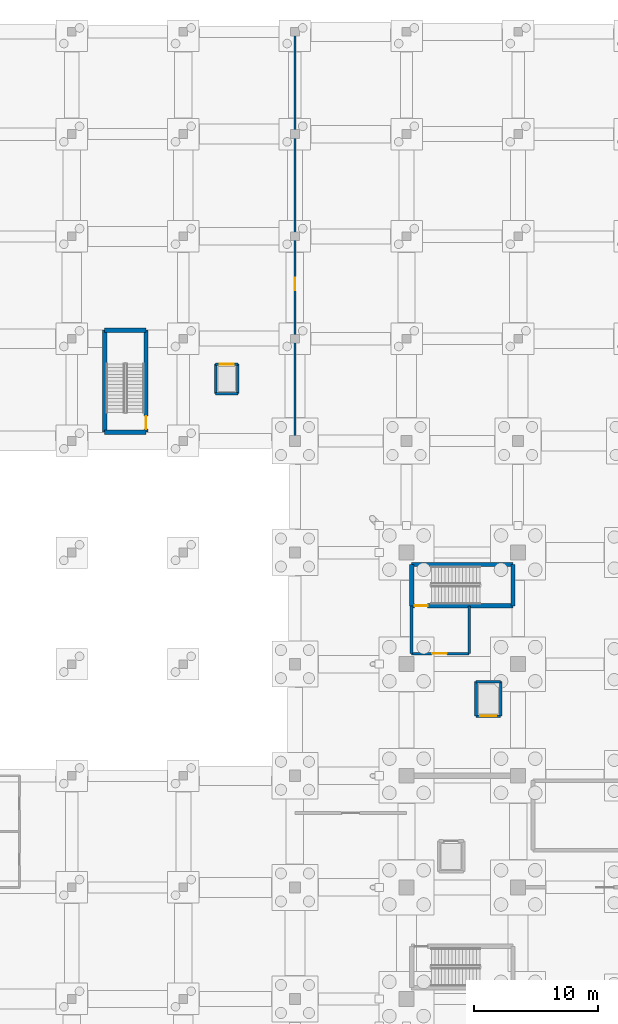
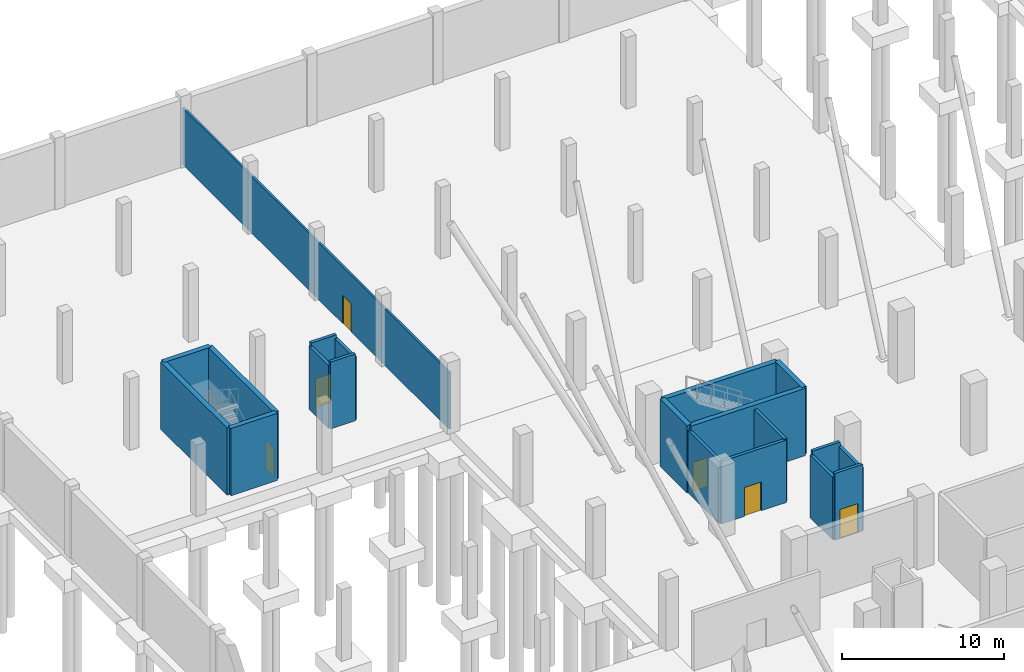
# One storey, part 27 of 42: 20 walls, 6 doors, 6 openings.
"""IFC4 building model written with IfcOpenShell, lengths in metres."""

from ifc_helpers import new_model, si_unit, direction, frame, frame_2d, origin, place, context, subcontext, project, spatial, rectangle, extrude, material, layer, layer_set, type_object, element, fill, save


model = new_model("IFC4")

# Units and contexts
model_context = context("Model", 3, precision=1e-05, world=origin(), true_north=direction((0.0, 1.0)))
body_context = subcontext(model_context, "Body", "Model", "MODEL_VIEW")
ifc_project = project(units=[si_unit("LENGTHUNIT", "METRE"), si_unit("AREAUNIT", "SQUARE_METRE"), si_unit("VOLUMEUNIT", "CUBIC_METRE"), si_unit("PLANEANGLEUNIT", "RADIAN"), si_unit("MASSUNIT", "GRAM", prefix="KILO")], contexts=[model_context])

# Site, building, storey
site_placement = place(None, origin())
site = spatial("IfcSite", under=ifc_project, at=site_placement, CompositionType="ELEMENT")
building_placement = place(site_placement, origin())
building = spatial("IfcBuilding", under=site, at=building_placement, Name="Sundgate Opera House", CompositionType="ELEMENT")
storey_placement = place(building_placement, frame((0.0, 0.0, -5.39990234375)))
storey = spatial("IfcBuildingStorey", under=building, at=storey_placement, Name="B01", CompositionType="ELEMENT", Elevation=-5.39990234375)

# Wall, opening, door
ifc_material_1 = material(Name="Concrete C40/50", Category="concrete")
ifc_layer_1 = layer(ifc_material_1, 0.35009765625)
ifc_layer_set_1 = layer_set([ifc_layer_1], Name="Concrete C40/50")
wall_type_1 = type_object("IfcWallType", Name="WL-CORE-350", PredefinedType="SHEAR", material=ifc_layer_set_1)
wall_1_placement = place(storey_placement, frame((36.409912109375, 73.7099609375, 0.0), z_axis=(0.0, 0.0, 1.0), x_axis=(1.0, 0.0, 0.0)))
wall_1 = element("IfcWall", 1, at=wall_1_placement, inside=storey, type_object=wall_type_1, Name="B01 C2 South Shaft Wall", PredefinedType="SHEAR", context=body_context, shape_type="SweptSolid", body=[
    extrude(rectangle(XDim=8.18017578125, YDim=0.35009765625, at=frame_2d((4.090087890625, 0.0))), origin(), (0.0, 0.0, 1.0), 5.079833984375),
])
opening_1_placement = place(wall_1_placement, frame((0.239990234375, 0.0, 0.0)))
opening_1 = element("IfcOpeningElement", 2, at=opening_1_placement, cuts=wall_1, Name="Opening DI01", PredefinedType="OPENING", context=body_context, shape_type="SweptSolid", body=[
    extrude(rectangle(XDim=1.050048828125, YDim=2.179931640625, at=frame_2d((0.52490234375, 1.08984375))), frame((0.0, 0.18505859375, 0.0), z_axis=(0.0, -1.0, 0.0), x_axis=(1.0, 0.0, 0.0)), (0.0, 0.0, 1.0), 0.3701171875),
])
ifc_material_2 = material(Name="Acoustic hardwood timber and steel core", Category="steel")
door_type_1 = type_object("IfcDoorType", Name="DR-STAIR-1050x2180", OperationType="NOTDEFINED", PredefinedType="DOOR", material=ifc_material_2)
door_1_placement = place(opening_1_placement, origin())
door_1 = element("IfcDoor", 3, at=door_1_placement, inside=storey, type_object=door_type_1, Name="B01 C2 Stair Door D0032", OperationType="SINGLE_SWING_RIGHT", OverallHeight=2.179931640625, OverallWidth=1.050048828125, PredefinedType="DOOR", context=body_context, shape_type="SweptSolid", body=[
    extrude(rectangle(XDim=1.050048828125, YDim=2.179931640625, at=frame_2d((0.52490234375, 1.08984375))), frame((0.0, 0.02490234375, 0.0), z_axis=(0.0, -1.0, 0.0), x_axis=(1.0, 0.0, 0.0)), (0.0, 0.0, 1.0), 0.050048828125),
])
fill(opening_1, door_1)

# Walls
wall_2_placement = place(storey_placement, frame((36.409912109375, 77.0400390625, 0.0), z_axis=(0.0, 0.0, 1.0), x_axis=(1.0, 0.0, 0.0)))
element("IfcWall", 4, at=wall_2_placement, inside=storey, type_object=wall_type_1, Name="B01 C2 North Shaft Wall", PredefinedType="SHEAR", context=body_context, shape_type="SweptSolid", body=[
    extrude(rectangle(XDim=8.18017578125, YDim=0.35009765625, at=frame_2d((4.090087890625, 0.0))), origin(), (0.0, 0.0, 1.0), 5.079833984375),
])
for number, where, z_axis, x_axis, name in (
    (5, (36.409912109375, 73.7099609375, 0.0), (0.0, 0.0, 1.0), (0.0, 1.0, 0.0), "B01 C2 West Shaft Wall"),
    (6, (44.590087890625, 73.7099609375, 0.0), (0.0, 0.0, 1.0), (0.0, 1.0, 0.0), "B01 C2 East Shaft Wall"),
    (7, (11.659912109375, 87.7099609375, 0.0), (0.0, 0.0, 1.0), (1.0, 0.0, 0.0), "B01 C8 South Shaft Wall"),
    (8, (11.659912109375, 95.93994140625, 0.0), (0.0, 0.0, 1.0), (1.0, 0.0, 0.0), "B01 C8 North Shaft Wall"),
):
    element("IfcWall", number, at=place(storey_placement, frame(where, z_axis=z_axis, x_axis=x_axis)), inside=storey, type_object=wall_type_1, Name=name, PredefinedType="SHEAR", context=body_context, shape_type="SweptSolid", body=[
        extrude(rectangle(XDim=3.330078125, YDim=0.35009765625, at=frame_2d((1.6650390625, 0.0))), origin(), (0.0, 0.0, 1.0), 5.079833984375),
    ])
wall_3_placement = place(storey_placement, frame((11.659912109375, 87.7099609375, 0.0), z_axis=(0.0, 0.0, 1.0), x_axis=(0.0, 1.0, 0.0)))
element("IfcWall", 9, at=wall_3_placement, inside=storey, type_object=wall_type_1, Name="B01 C8 West Shaft Wall", PredefinedType="SHEAR", context=body_context, shape_type="SweptSolid", body=[
    extrude(rectangle(XDim=8.22998046875, YDim=0.35009765625, at=frame_2d((4.114990234375, 0.0))), origin(), (0.0, 0.0, 1.0), 5.079833984375),
])

# Wall, opening, door
wall_4_placement = place(storey_placement, frame((14.989990234375, 87.7099609375, 0.0), z_axis=(0.0, 0.0, 1.0), x_axis=(0.0, 1.0, 0.0)))
wall_4 = element("IfcWall", 10, at=wall_4_placement, inside=storey, type_object=wall_type_1, Name="B01 C8 East Shaft Wall", PredefinedType="SHEAR", context=body_context, shape_type="SweptSolid", body=[
    extrude(rectangle(XDim=8.22998046875, YDim=0.35009765625, at=frame_2d((4.114990234375, 0.0))), origin(), (0.0, 0.0, 1.0), 5.079833984375),
])
opening_2_placement = place(wall_4_placement, frame((0.239990234375, 0.0, 0.0)))
opening_2 = element("IfcOpeningElement", 11, at=opening_2_placement, cuts=wall_4, Name="Opening DI01", PredefinedType="OPENING", context=body_context, shape_type="SweptSolid", body=[
    extrude(rectangle(XDim=1.050048828125, YDim=2.179931640625, at=frame_2d((0.52490234375, 1.08984375))), frame((0.0, 0.18505859375, 0.0), z_axis=(0.0, -1.0, 0.0), x_axis=(1.0, 0.0, 0.0)), (0.0, 0.0, 1.0), 0.3701171875),
])
door_2_placement = place(opening_2_placement, origin())
door_2 = element("IfcDoor", 12, at=door_2_placement, inside=storey, type_object=door_type_1, Name="B01 C8 Stair Door D0087", OperationType="SINGLE_SWING_LEFT", OverallHeight=2.179931640625, OverallWidth=1.050048828125, PredefinedType="DOOR", context=body_context, shape_type="SweptSolid", body=[
    extrude(rectangle(XDim=1.050048828125, YDim=2.179931640625, at=frame_2d((0.52490234375, 1.08984375))), frame((0.0, 0.02490234375, 0.0), z_axis=(0.0, -1.0, 0.0), x_axis=(1.0, 0.0, 0.0)), (0.0, 0.0, 1.0), 0.050048828125),
])
fill(opening_2, door_2)

ifc_material_3 = material(Name="Fire-rated gypsum and mineral-wool shaft partition", Category="gypsum")
ifc_layer_2 = layer(ifc_material_3, 0.219970703125)
ifc_layer_set_2 = layer_set([ifc_layer_2], Name="Fire-rated gypsum and mineral-wool shaft partition")
wall_type_2 = type_object("IfcWallType", Name="WL-INT-FIRE-220", PredefinedType="PARTITIONING", material=ifc_layer_set_2)
wall_5_placement = place(storey_placement, frame((36.409912109375, 69.85009765625, 0.0), z_axis=(0.0, 0.0, 1.0), x_axis=(1.0, 0.0, 0.0)))
wall_5 = element("IfcWall", 13, at=wall_5_placement, inside=storey, type_object=wall_type_2, Name="B01 C2 Firefighting Lobby South Wall", PredefinedType="PARTITIONING", context=body_context, shape_type="SweptSolid", body=[
    extrude(rectangle(XDim=4.64013671875, YDim=0.219970703125, at=frame_2d((2.320068359375, 0.0))), origin(), (0.0, 0.0, 1.0), 4.71484375),
])
opening_3_placement = place(wall_5_placement, frame((1.64990234375, 0.0, 0.0)))
opening_3 = element("IfcOpeningElement", 14, at=opening_3_placement, cuts=wall_5, Name="Opening DI02", PredefinedType="OPENING", context=body_context, shape_type="SweptSolid", body=[
    extrude(rectangle(XDim=1.199951171875, YDim=2.179931640625, at=frame_2d((0.60009765625, 1.08984375))), frame((0.0, 0.119873046875, 0.0), z_axis=(0.0, -1.0, 0.0), x_axis=(1.0, 0.0, 0.0)), (0.0, 0.0, 1.0), 0.239990234375),
])
ifc_material_4 = material(Name="Acoustic hardwood timber and steel core", Category="steel")
door_type_2 = type_object("IfcDoorType", Name="DR-FFLOB-1200x2180", OperationType="NOTDEFINED", PredefinedType="DOOR", material=ifc_material_4)
door_3_placement = place(opening_3_placement, origin())
door_3 = element("IfcDoor", 15, at=door_3_placement, inside=storey, type_object=door_type_2, Name="B01 C2 Firefighting Lobby Door D0033", OperationType="SINGLE_SWING_LEFT", OverallHeight=2.179931640625, OverallWidth=1.199951171875, PredefinedType="DOOR", context=body_context, shape_type="SweptSolid", body=[
    extrude(rectangle(XDim=1.199951171875, YDim=2.179931640625, at=frame_2d((0.60009765625, 1.08984375))), frame((0.0, 0.02490234375, 0.0), z_axis=(0.0, -1.0, 0.0), x_axis=(1.0, 0.0, 0.0)), (0.0, 0.0, 1.0), 0.050048828125),
])
fill(opening_3, door_3)

# Walls
wall_6_placement = place(storey_placement, frame((36.409912109375, 69.85009765625, 0.0), z_axis=(0.0, 0.0, 1.0), x_axis=(0.0, 1.0, 0.0)))
element("IfcWall", 16, at=wall_6_placement, inside=storey, type_object=wall_type_2, Name="B01 C2 Firefighting Lobby West Wall", PredefinedType="PARTITIONING", context=body_context, shape_type="SweptSolid", body=[
    extrude(rectangle(XDim=3.85986328125, YDim=0.219970703125, at=frame_2d((1.929931640625, 0.0))), origin(), (0.0, 0.0, 1.0), 4.71484375),
])
wall_7_placement = place(storey_placement, frame((41.050048828125, 69.85009765625, 0.0), z_axis=(0.0, 0.0, 1.0), x_axis=(0.0, 1.0, 0.0)))
element("IfcWall", 17, at=wall_7_placement, inside=storey, type_object=wall_type_2, Name="B01 C2 Firefighting Lobby East Wall", PredefinedType="PARTITIONING", context=body_context, shape_type="SweptSolid", body=[
    extrude(rectangle(XDim=3.85986328125, YDim=0.219970703125, at=frame_2d((1.929931640625, 0.0))), origin(), (0.0, 0.0, 1.0), 4.744873046875),
])
wall_8_placement = place(storey_placement, frame((20.610107421875, 90.81005859375, 0.0), z_axis=(0.0, 0.0, 1.0), x_axis=(1.0, 0.0, 0.0)))
element("IfcWall", 18, at=wall_8_placement, inside=storey, type_object=wall_type_2, Name="B01 LF-06 South Shaft Wall", PredefinedType="PARTITIONING", context=body_context, shape_type="SweptSolid", body=[
    extrude(rectangle(XDim=1.77978515625, YDim=0.219970703125, at=frame_2d((0.889892578125, 0.0))), origin(), (0.0, 0.0, 1.0), 5.044921875),
])

# Wall, opening, door
wall_9_placement = place(storey_placement, frame((20.610107421875, 93.18994140625, 0.0), z_axis=(0.0, 0.0, 1.0), x_axis=(1.0, 0.0, 0.0)))
wall_9 = element("IfcWall", 19, at=wall_9_placement, inside=storey, type_object=wall_type_2, Name="B01 LF-06 North Shaft Wall", PredefinedType="PARTITIONING", context=body_context, shape_type="SweptSolid", body=[
    extrude(rectangle(XDim=1.77978515625, YDim=0.219970703125, at=frame_2d((0.889892578125, 0.0))), origin(), (0.0, 0.0, 1.0), 5.044921875),
])
opening_4_placement = place(wall_9_placement, frame((0.340087890625, 0.0, 0.0)))
opening_4 = element("IfcOpeningElement", 20, at=opening_4_placement, cuts=wall_9, Name="Opening LD1", PredefinedType="OPENING", context=body_context, shape_type="SweptSolid", body=[
    extrude(rectangle(XDim=1.10009765625, YDim=2.179931640625, at=frame_2d((0.550048828125, 1.08984375))), frame((0.0, 0.119873046875, 0.0), z_axis=(0.0, -1.0, 0.0), x_axis=(1.0, 0.0, 0.0)), (0.0, 0.0, 1.0), 0.239990234375),
])
ifc_material_5 = material(Name="Brushed stainless steel EN 1.4301", Category="steel")
door_type_3 = type_object("IfcDoorType", Name="DR-LIFT-1100x2180", OperationType="DOUBLE_DOOR_SLIDING", PredefinedType="DOOR", material=ifc_material_5)
door_4_placement = place(opening_4_placement, origin())
door_4 = element("IfcDoor", 21, at=door_4_placement, inside=storey, type_object=door_type_3, Name="B01 LF-06 Landing Door D0123", OperationType="DOUBLE_DOOR_SLIDING", OverallHeight=2.179931640625, OverallWidth=1.10009765625, PredefinedType="DOOR", context=body_context, shape_type="SweptSolid", body=[
    extrude(rectangle(XDim=1.10009765625, YDim=2.179931640625, at=frame_2d((0.550048828125, 1.08984375))), frame((0.0, 0.02490234375, 0.0), z_axis=(0.0, -1.0, 0.0), x_axis=(1.0, 0.0, 0.0)), (0.0, 0.0, 1.0), 0.050048828125),
])
fill(opening_4, door_4)

# Walls
for number, where, z_axis, x_axis, name in (
    (22, (20.610107421875, 90.81005859375, 0.0), (0.0, 0.0, 1.0), (0.0, 1.0, 0.0), "B01 LF-06 West Shaft Wall"),
    (23, (22.389892578125, 90.81005859375, 0.0), (0.0, 0.0, 1.0), (0.0, 1.0, 0.0), "B01 LF-06 East Shaft Wall"),
):
    element("IfcWall", number, at=place(storey_placement, frame(where, z_axis=z_axis, x_axis=x_axis)), inside=storey, type_object=wall_type_2, Name=name, PredefinedType="PARTITIONING", context=body_context, shape_type="SweptSolid", body=[
        extrude(rectangle(XDim=2.3798828125, YDim=0.219970703125, at=frame_2d((1.18994140625, 0.0))), origin(), (0.0, 0.0, 1.0), 4.77490234375),
    ])

# Wall, opening, door
wall_10_placement = place(storey_placement, frame((41.610107421875, 64.81005859375, 0.0), z_axis=(0.0, 0.0, 1.0), x_axis=(1.0, 0.0, 0.0)))
wall_10 = element("IfcWall", 24, at=wall_10_placement, inside=storey, type_object=wall_type_2, Name="B01 FF1 South Shaft Wall", PredefinedType="PARTITIONING", context=body_context, shape_type="SweptSolid", body=[
    extrude(rectangle(XDim=1.97998046875, YDim=0.219970703125, at=frame_2d((0.989990234375, 0.0))), origin(), (0.0, 0.0, 1.0), 5.044921875),
])
opening_5_placement = place(wall_10_placement, frame((0.340087890625, 0.0, 0.0)))
opening_5 = element("IfcOpeningElement", 25, at=opening_5_placement, cuts=wall_10, Name="Opening LD2", PredefinedType="OPENING", context=body_context, shape_type="SweptSolid", body=[
    extrude(rectangle(XDim=1.300048828125, YDim=2.199951171875, at=frame_2d((0.64990234375, 1.10009765625))), frame((0.0, 0.119873046875, 0.0), z_axis=(0.0, -1.0, 0.0), x_axis=(1.0, 0.0, 0.0)), (0.0, 0.0, 1.0), 0.239990234375),
])
ifc_material_6 = material(Name="Brushed stainless steel EN 1.4301", Category="steel")
door_type_4 = type_object("IfcDoorType", Name="DR-LIFT-1300x2200", OperationType="DOUBLE_DOOR_SLIDING", PredefinedType="DOOR", material=ifc_material_6)
door_5_placement = place(opening_5_placement, origin())
door_5 = element("IfcDoor", 26, at=door_5_placement, inside=storey, type_object=door_type_4, Name="B01 FF1 Landing Door D0128", OperationType="DOUBLE_DOOR_SLIDING", OverallHeight=2.199951171875, OverallWidth=1.300048828125, PredefinedType="DOOR", context=body_context, shape_type="SweptSolid", body=[
    extrude(rectangle(XDim=1.300048828125, YDim=2.199951171875, at=frame_2d((0.64990234375, 1.10009765625))), frame((0.0, 0.02490234375, 0.0), z_axis=(0.0, -1.0, 0.0), x_axis=(1.0, 0.0, 0.0)), (0.0, 0.0, 1.0), 0.050048828125),
])
fill(opening_5, door_5)

# Walls
wall_11_placement = place(storey_placement, frame((41.610107421875, 67.590087890625, 0.0), z_axis=(0.0, 0.0, 1.0), x_axis=(1.0, 0.0, 0.0)))
element("IfcWall", 27, at=wall_11_placement, inside=storey, type_object=wall_type_2, Name="B01 FF1 North Shaft Wall", PredefinedType="PARTITIONING", context=body_context, shape_type="SweptSolid", body=[
    extrude(rectangle(XDim=1.97998046875, YDim=0.219970703125, at=frame_2d((0.989990234375, 0.0))), origin(), (0.0, 0.0, 1.0), 5.044921875),
])
for number, where, z_axis, x_axis, name in (
    (28, (41.610107421875, 64.81005859375, 0.0), (0.0, 0.0, 1.0), (0.0, 1.0, 0.0), "B01 FF1 West Shaft Wall"),
    (29, (43.590087890625, 64.81005859375, 0.0), (0.0, 0.0, 1.0), (0.0, 1.0, 0.0), "B01 FF1 East Shaft Wall"),
):
    element("IfcWall", number, at=place(storey_placement, frame(where, z_axis=z_axis, x_axis=x_axis)), inside=storey, type_object=wall_type_2, Name=name, PredefinedType="PARTITIONING", context=body_context, shape_type="SweptSolid", body=[
        extrude(rectangle(XDim=2.780029296875, YDim=0.219970703125, at=frame_2d((1.39013671875, 0.0))), origin(), (0.0, 0.0, 1.0), 4.744873046875),
    ])

# Wall, opening, door
ifc_material_7 = material(Name="General studio partition", Category="gypsum")
ifc_layer_3 = layer(ifc_material_7, 0.14501953125)
ifc_layer_set_3 = layer_set([ifc_layer_3], Name="General studio partition")
wall_type_3 = type_object("IfcWallType", Name="WL-INT-PART-145", PredefinedType="PARTITIONING", material=ifc_layer_set_3)
wall_12_placement = place(storey_placement, frame((27.0, 87.0, 0.0), z_axis=(0.0, 0.0, 1.0), x_axis=(0.0, 1.0, 0.0)))
wall_12 = element("IfcWall", 30, at=wall_12_placement, inside=storey, type_object=wall_type_3, Name="B01 Interior Partition W0987", PredefinedType="PARTITIONING", context=body_context, shape_type="SweptSolid", body=[
    extrude(rectangle(XDim=33.0, YDim=0.14501953125, at=frame_2d((16.5, 0.0))), origin(), (0.0, 0.0, 1.0), 4.294921875),
])
opening_6_placement = place(wall_12_placement, frame((12.159912109375, 0.0, 0.0)))
opening_6 = element("IfcOpeningElement", 31, at=opening_6_placement, cuts=wall_12, Name="Opening DI10", PredefinedType="OPENING", context=body_context, shape_type="SweptSolid", body=[
    extrude(rectangle(XDim=1.0, YDim=2.1201171875, at=frame_2d((0.5, 1.06005859375))), frame((0.0, 0.08251953125, 0.0), z_axis=(0.0, -1.0, 0.0), x_axis=(1.0, 0.0, 0.0)), (0.0, 0.0, 1.0), 0.1650390625),
])
ifc_material_8 = material(Name="Acoustic hardwood timber and steel core", Category="steel")
door_type_5 = type_object("IfcDoorType", Name="DR-UNR-1000x2120", OperationType="NOTDEFINED", PredefinedType="DOOR", material=ifc_material_8)
door_6_placement = place(opening_6_placement, origin())
door_6 = element("IfcDoor", 32, at=door_6_placement, inside=storey, type_object=door_type_5, Name="B01 Interior Door D0172", OperationType="SINGLE_SWING_LEFT", OverallHeight=2.1201171875, OverallWidth=1.0, PredefinedType="DOOR", context=body_context, shape_type="SweptSolid", body=[
    extrude(rectangle(XDim=1.0, YDim=2.1201171875, at=frame_2d((0.5, 1.06005859375))), frame((0.0, 0.02490234375, 0.0), z_axis=(0.0, -1.0, 0.0), x_axis=(1.0, 0.0, 0.0)), (0.0, 0.0, 1.0), 0.050048828125),
])
fill(opening_6, door_6)

save(model, "model.ifc")
